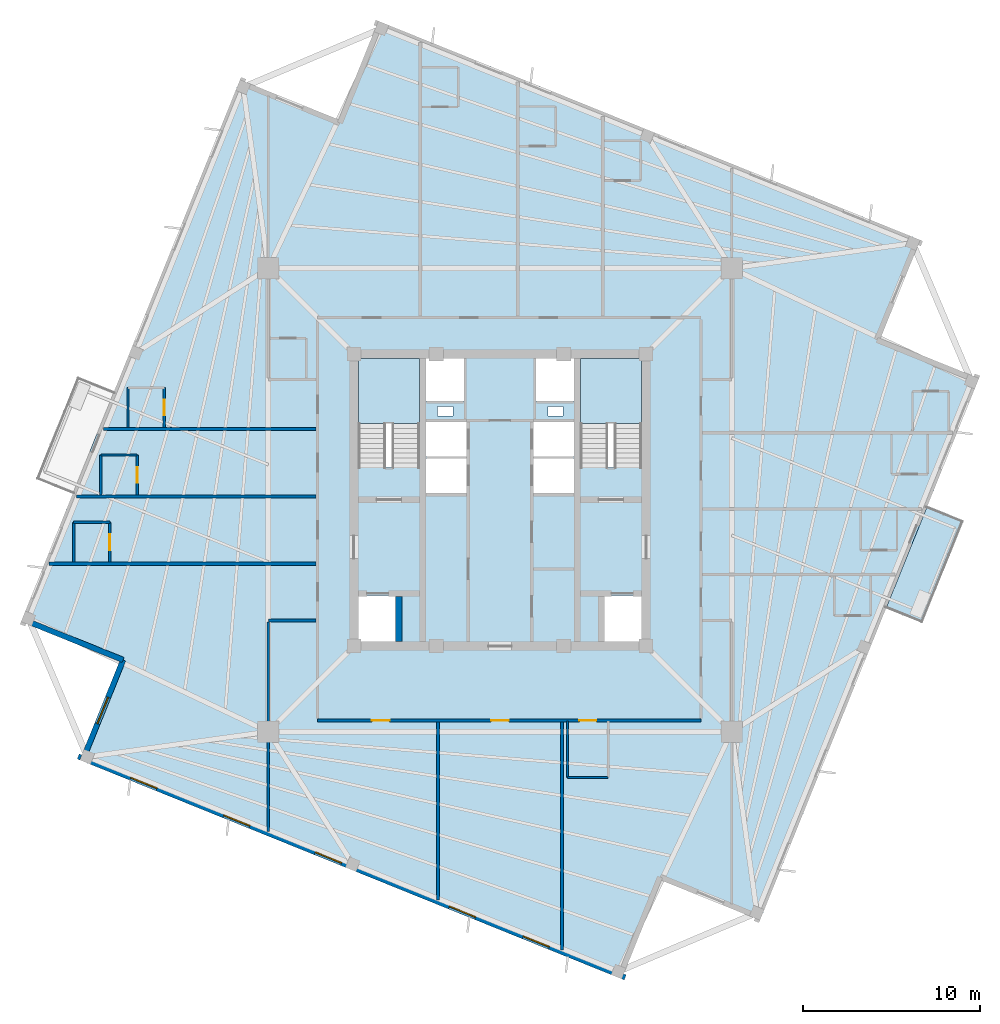
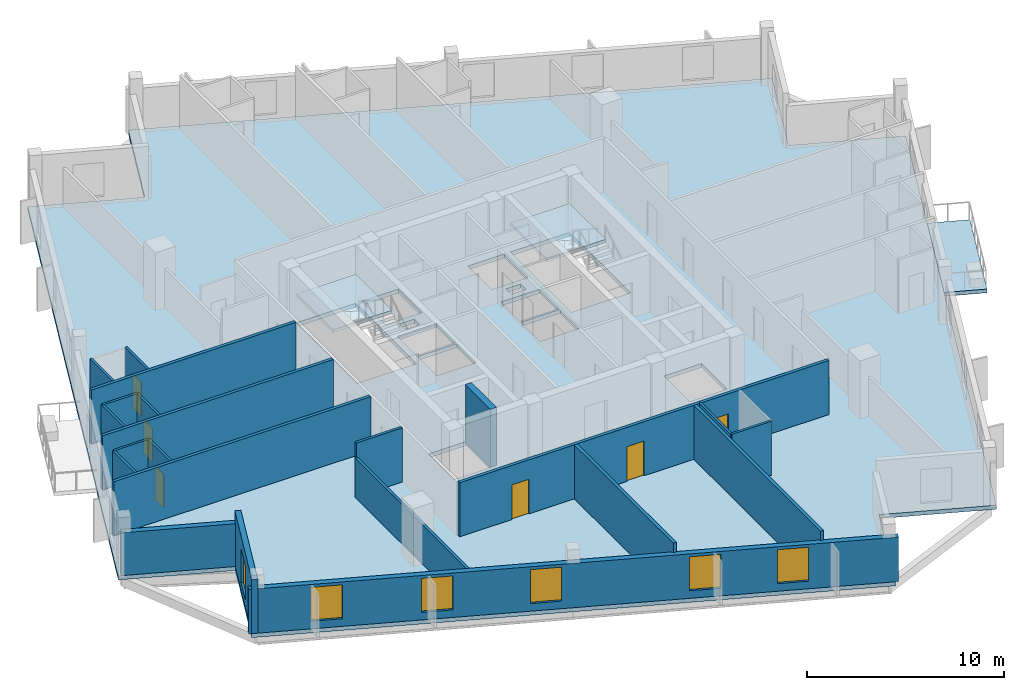
# One storey, part 2 of 9: 22 walls, 6 doors, 6 windows, 4 slabs, 12 openings, 2 elements without a shape of their own.
"""IFC4 building model written with IfcOpenShell, lengths in metres."""

from ifc_helpers import new_model, si_unit, direction, frame, frame_2d, origin, place, context, subcontext, project, spatial, polyline, rectangle, outline, extrude, source, transform, mapped, material, layer, layer_set, type_object, element, fill, aggregate, save


model = new_model("IFC4")

# Units and contexts
model_context = context("Model", 3, precision=1e-05, world=origin(), true_north=direction((0.0, 1.0)))
body_context = subcontext(model_context, "Body", "Model", "MODEL_VIEW")
ifc_project = project(units=[si_unit("LENGTHUNIT", "METRE"), si_unit("AREAUNIT", "SQUARE_METRE"), si_unit("VOLUMEUNIT", "CUBIC_METRE"), si_unit("PLANEANGLEUNIT", "RADIAN"), si_unit("MASSUNIT", "GRAM", prefix="KILO"), si_unit("THERMODYNAMICTEMPERATUREUNIT", "KELVIN")], contexts=[model_context])

# Site, building, storey
site_placement = place(None, origin())
site = spatial("IfcSite", under=ifc_project, at=site_placement, CompositionType="ELEMENT")
building_placement = place(site_placement, origin())
building = spatial("IfcBuilding", under=site, at=building_placement, Name="Kosmvard Interchange Tower", CompositionType="ELEMENT")
storey_placement = place(building_placement, frame((0.0, 0.0, 301.199951171875)))
storey = spatial("IfcBuildingStorey", under=building, at=storey_placement, Name="L74", CompositionType="ELEMENT", Elevation=301.199951171875)

# Slab
ifc_material_1 = material(Name="Concrete C50/60", Category="concrete")
ifc_layer_1 = layer(ifc_material_1, 0.25, Name="Concrete C50/60")
ifc_layer_set_1 = layer_set([ifc_layer_1], Name="Concrete C50/60")
slab_type_1 = type_object("IfcSlabType", Name="Hotel Acoustic Floor Slab 250 C50/60", PredefinedType="FLOOR", material=ifc_layer_set_1)
slab_1_placement = place(storey_placement, frame((0.0, 0.0, -0.25)))
element("IfcSlab", 1, at=slab_1_placement, inside=storey, type_object=slab_type_1, Name="L74 Structural Floor Slab", PredefinedType="FLOOR", context=body_context, shape_type="SweptSolid", body=[
    extrude(outline(polyline([(14.6806640625, -23.727294921875), (27.042724609375, 6.869873046875), (21.4794921875, 9.117431640625), (23.727294921875, 14.6806640625), (-6.869873046875, 27.042724609375), (-9.117431640625, 21.4794921875), (-14.6806640625, 23.727294921875), (-27.042724609375, -6.869873046875), (-21.4794921875, -9.117431640625), (-23.727294921875, -14.6806640625), (6.869873046875, -27.042724609375), (9.117431640625, -21.4794921875), (14.6806640625, -23.727294921875)]), holes=[polyline([(-8.0, 1.8349609375), (-4.5400390625, 1.8349609375), (-4.5400390625, 8.0), (-8.0, 8.0), (-8.0, 1.8349609375)]), polyline([(4.5400390625, 1.8349609375), (8.0, 1.8349609375), (8.0, 8.0), (4.5400390625, 8.0), (4.5400390625, 1.8349609375)]), polyline([(-8.0, -8.0), (-5.800048828125, -8.0), (-5.800048828125, -5.39990234375), (-8.0, -5.39990234375), (-8.0, -8.0)]), polyline([(5.800048828125, -8.0), (8.0, -8.0), (8.0, -5.39990234375), (5.800048828125, -5.39990234375), (5.800048828125, -8.0)]), polyline([(-4.179931640625, 0.39990234375), (-1.8798828125, 0.39990234375), (-1.8798828125, 2.340087890625), (-4.179931640625, 2.340087890625), (-4.179931640625, 0.39990234375)]), polyline([(-4.179931640625, 2.4599609375), (-1.8798828125, 2.4599609375), (-1.8798828125, 4.39990234375), (-4.179931640625, 4.39990234375), (-4.179931640625, 2.4599609375)]), polyline([(1.8798828125, 0.39990234375), (4.179931640625, 0.39990234375), (4.179931640625, 2.340087890625), (1.8798828125, 2.340087890625), (1.8798828125, 0.39990234375)]), polyline([(1.8798828125, 2.4599609375), (4.179931640625, 2.4599609375), (4.179931640625, 4.39990234375), (1.8798828125, 4.39990234375), (1.8798828125, 2.4599609375)]), polyline([(-4.179931640625, 5.60009765625), (-2.0400390625, 5.60009765625), (-2.0400390625, 8.0), (-4.179931640625, 8.0), (-4.179931640625, 5.60009765625)]), polyline([(2.0400390625, 5.60009765625), (4.179931640625, 5.60009765625), (4.179931640625, 8.0), (2.0400390625, 8.0), (2.0400390625, 5.60009765625)]), polyline([(-3.514892578125, 4.739990234375), (-2.6650390625, 4.739990234375), (-2.6650390625, 5.2900390625), (-3.514892578125, 5.2900390625), (-3.514892578125, 4.739990234375)]), polyline([(2.715087890625, 4.739990234375), (3.56494140625, 4.739990234375), (3.56494140625, 5.2900390625), (2.715087890625, 5.2900390625), (2.715087890625, 4.739990234375)])]), origin(), (0.0, 0.0, 1.0), 0.25),
])

# Stair, slab
stair_type = type_object("IfcStairType", Name="Dog-Leg Core Exit Stair H3600 C50/60", PredefinedType="HALF_TURN_STAIR", material=ifc_material_1)
stair_1_placement = place(storey_placement, origin())
stair_1 = element("IfcStair", 2, at=stair_1_placement, inside=storey, type_object=stair_type, Name="L74 Protected Exit Stair ST-1", PredefinedType="HALF_TURN_STAIR")
ifc_layer_2 = layer(ifc_material_1, 0.199951171875, Name="Concrete C50/60")
ifc_layer_set_2 = layer_set([ifc_layer_2], Name="Concrete C50/60")
slab_type_2 = type_object("IfcSlabType", Name="Stair Half-Landing Slab 200 C50/60", PredefinedType="LANDING", material=ifc_layer_set_2)
slab_2_placement = place(storey_placement, frame((0.0, 0.0, 1.60009765625)))
slab_2 = element("IfcSlab", 3, at=slab_2_placement, type_object=slab_type_2, Name="ST-1 landing 1", PredefinedType="LANDING", context=body_context, shape_type="SweptSolid", body=[
    extrude(outline(polyline([(-4.5400390625, 4.320068359375), (-4.5400390625, 8.0), (-8.0, 8.0), (-8.0, 4.320068359375), (-4.5400390625, 4.320068359375)])), origin(), (0.0, 0.0, 1.0), 0.199951171875),
])
aggregate(stair_1, [slab_2])

stair_2_placement = place(storey_placement, origin())
stair_2 = element("IfcStair", 4, at=stair_2_placement, inside=storey, type_object=stair_type, Name="L74 Protected Exit Stair ST-2", PredefinedType="HALF_TURN_STAIR")
slab_3_placement = place(storey_placement, frame((0.0, 0.0, 1.60009765625)))
slab_3 = element("IfcSlab", 5, at=slab_3_placement, type_object=slab_type_2, Name="ST-2 landing 1", PredefinedType="LANDING", context=body_context, shape_type="SweptSolid", body=[
    extrude(outline(polyline([(8.0, 4.320068359375), (8.0, 8.0), (4.5400390625, 8.0), (4.5400390625, 4.320068359375), (8.0, 4.320068359375)])), origin(), (0.0, 0.0, 1.0), 0.199951171875),
])
aggregate(stair_2, [slab_3])

# Slab
ifc_layer_3 = layer(ifc_material_1, 0.22998046875, Name="Concrete C50/60")
ifc_layer_set_3 = layer_set([ifc_layer_3], Name="Concrete C50/60")
slab_type_3 = type_object("IfcSlabType", Name="Tree-Planter Cantilever Balcony Slab 230 C50/60", PredefinedType="FLOOR", material=ifc_layer_set_3)
slab_4_placement = place(storey_placement, frame((0.0, 0.0, -0.22998046875)))
element("IfcSlab", 6, at=slab_4_placement, inside=storey, type_object=slab_type_3, Name="L74 Outdoor Terrace Balcony Slab BAL-L74-SW", PredefinedType="FLOOR", context=body_context, shape_type="SweptSolid", body=[
    extrude(outline(polyline([(23.837890625, -6.934814453125), (26.160400390625, -1.186279296875), (24.12060546875, -0.362060546875), (21.798095703125, -6.110595703125), (23.837890625, -6.934814453125)])), origin(), (0.0, 0.0, 1.0), 0.22998046875),
])

# Walls
ifc_material_2 = material(Name="Acoustic gypsum partition system")
ifc_layer_4 = layer(ifc_material_2, 0.14990234375, Name="Acoustic gypsum partition system")
ifc_layer_set_4 = layer_set([ifc_layer_4], Name="Acoustic gypsum partition system")
wall_type_1 = type_object("IfcWallType", Name="Acoustic Suite & Meeting Partition 150", PredefinedType="PARTITIONING", material=ifc_layer_set_4)
wall_1_placement = place(storey_placement, frame((-10.39501953125, -6.800048828125, 0.0), z_axis=(0.0, 0.0, 1.0), x_axis=(-1.0, 0.0, 0.0)))
element("IfcWall", 7, at=wall_1_placement, inside=storey, type_object=wall_type_1, Name="L74 Room Partition 18.1", PredefinedType="PARTITIONING", context=body_context, shape_type="SweptSolid", body=[
    extrude(rectangle(XDim=2.68603515625, YDim=0.14990234375, at=frame_2d((1.343017578125, 0.0))), origin(), (0.0, 0.0, 1.0), 3.35009765625),
])
wall_2_placement = place(storey_placement, frame((-13.0810546875, -6.875, 0.0), z_axis=(0.0, 0.0, 1.0), x_axis=(0.0, -1.0, 0.0)))
element("IfcWall", 8, at=wall_2_placement, inside=storey, type_object=wall_type_1, Name="L74 Room Partition 19.1", PredefinedType="PARTITIONING", context=body_context, shape_type="SweptSolid", body=[
    extrude(rectangle(XDim=11.8427734375, YDim=0.14990234375, at=frame_2d((5.92138671875, 0.0))), origin(), (0.0, 0.0, 1.0), 2.449951171875),
])

# Wall, openings, doors
ifc_material_3 = material(Name="Fire-rated gypsum partition system")
ifc_layer_5 = layer(ifc_material_3, 0.179931640625, Name="Fire-rated gypsum partition system")
ifc_layer_set_5 = layer_set([ifc_layer_5], Name="Fire-rated gypsum partition system")
wall_type_2 = type_object("IfcWallType", Name="Corridor & Hotel Compartment Partition 180", PredefinedType="PARTITIONING", material=ifc_layer_set_5)
wall_3_placement = place(storey_placement, frame((-10.300048828125, -12.449951171875, 0.0), z_axis=(0.0, 0.0, 1.0), x_axis=(1.0, 0.0, 0.0)))
wall_3 = element("IfcWall", 9, at=wall_3_placement, inside=storey, type_object=wall_type_2, Name="L74 Corridor Wall CS", PredefinedType="PARTITIONING", context=body_context, shape_type="SweptSolid", body=[
    extrude(rectangle(XDim=21.650146484375, YDim=0.179931640625, at=frame_2d((10.8251953125, 0.0))), origin(), (0.0, 0.0, 1.0), 3.35009765625),
])
opening_1_placement = place(wall_3_placement, frame((14.7861328125, 0.0, 0.0)))
opening_1 = element("IfcOpeningElement", 10, at=opening_1_placement, cuts=wall_3, Name="Opening L74-D01", PredefinedType="OPENING", context=body_context, shape_type="SweptSolid", body=[
    extrude(rectangle(XDim=0.949951171875, YDim=2.10009765625, at=frame_2d((0.47509765625, 1.050048828125))), frame((0.0, 0.10009765625, 0.0), z_axis=(0.0, -1.0, 0.0), x_axis=(1.0, 0.0, 0.0)), (0.0, 0.0, 1.0), 0.199951171875),
])
opening_2_placement = place(wall_3_placement, frame((9.800048828125, 0.0, 0.0)))
opening_2 = element("IfcOpeningElement", 11, at=opening_2_placement, cuts=wall_3, Name="Opening L74-D23", PredefinedType="OPENING", context=body_context, shape_type="SweptSolid", body=[
    extrude(rectangle(XDim=1.0, YDim=2.14990234375, at=frame_2d((0.5, 1.074951171875))), frame((0.0, 0.10009765625, 0.0), z_axis=(0.0, -1.0, 0.0), x_axis=(1.0, 0.0, 0.0)), (0.0, 0.0, 1.0), 0.199951171875),
])
opening_3_placement = place(wall_3_placement, frame((3.064453125, 0.0, 0.0)))
opening_3 = element("IfcOpeningElement", 12, at=opening_3_placement, cuts=wall_3, Name="Opening L74-D24", PredefinedType="OPENING", context=body_context, shape_type="SweptSolid", body=[
    extrude(rectangle(XDim=1.0, YDim=2.14990234375, at=frame_2d((0.5, 1.074951171875))), frame((0.0, 0.10009765625, 0.0), z_axis=(0.0, -1.0, 0.0), x_axis=(1.0, 0.0, 0.0)), (0.0, 0.0, 1.0), 0.199951171875),
])
ifc_material_4 = material(Name="Laminated moisture-resistant timber", Category="wood")
door_type_1 = type_object("IfcDoorType", Name="Accessible Washroom Door 950x2100", OperationType="NOTDEFINED", PredefinedType="DOOR", material=ifc_material_4)
shared_shape_1 = source(origin(), body_context, "Body", "SweptSolid", [
    extrude(rectangle(XDim=0.949951171875, YDim=2.10009765625, at=frame_2d((0.47509765625, 1.050048828125))), frame((0.0, 0.02490234375, 0.0), z_axis=(0.0, -1.0, 0.0), x_axis=(1.0, 0.0, 0.0)), (0.0, 0.0, 1.0), 0.050048828125),
])
door_1_placement = place(opening_1_placement, frame((0.949951171875, 0.0, 0.0), z_axis=(0.0, 0.0, 1.0), x_axis=(-1.0, 0.0, 0.0)))
door_1 = element("IfcDoor", 13, at=door_1_placement, inside=storey, type_object=door_type_1, Name="L74 Accessible Guest Toilet Door", OperationType="SINGLE_SWING_LEFT", OverallHeight=2.10009765625, OverallWidth=0.949951171875, PredefinedType="DOOR", context=body_context, shape_type="MappedRepresentation", body=[
    mapped(shared_shape_1, transform((0.0, 0.0, 0.0), scale=1.0)),
])
fill(opening_1, door_1)
ifc_material_5 = material(Name="Engineered oak fire-rated timber", Category="wood")
door_type_2 = type_object("IfcDoorType", Name="Hotel Guestroom Entrance Door 1000x2150 EI60", OperationType="NOTDEFINED", PredefinedType="DOOR", material=ifc_material_5)
shared_shape_2 = source(origin(), body_context, "Body", "SweptSolid", [
    extrude(rectangle(XDim=1.0, YDim=2.14990234375, at=frame_2d((0.5, 1.074951171875))), frame((0.0, 0.02490234375, 0.0), z_axis=(0.0, -1.0, 0.0), x_axis=(1.0, 0.0, 0.0)), (0.0, 0.0, 1.0), 0.050048828125),
])
door_2_placement = place(opening_2_placement, frame((1.0, 0.0, 0.0), z_axis=(0.0, 0.0, 1.0), x_axis=(-1.0, 0.0, 0.0)))
door_2 = element("IfcDoor", 14, at=door_2_placement, inside=storey, type_object=door_type_2, Name="L74 Hotel Thermal Wellness Spa Door", OperationType="SINGLE_SWING_LEFT", OverallHeight=2.14990234375, OverallWidth=1.0, PredefinedType="DOOR", context=body_context, shape_type="MappedRepresentation", body=[
    mapped(shared_shape_2, transform((0.0, 0.0, 0.0), scale=1.0)),
])
fill(opening_2, door_2)
door_3_placement = place(opening_3_placement, frame((1.0, 0.0, 0.0), z_axis=(0.0, 0.0, 1.0), x_axis=(-1.0, 0.0, 0.0)))
door_3 = element("IfcDoor", 15, at=door_3_placement, inside=storey, type_object=door_type_2, Name="L74 Hotel Guest Fitness Studio Door", OperationType="SINGLE_SWING_RIGHT", OverallHeight=2.14990234375, OverallWidth=1.0, PredefinedType="DOOR", context=body_context, shape_type="MappedRepresentation", body=[
    mapped(shared_shape_2, transform((0.0, 0.0, 0.0), scale=1.0)),
])
fill(opening_3, door_3)

# Walls
wall_4_placement = place(storey_placement, frame((3.5, -12.544921875, 0.0), z_axis=(0.0, 0.0, 1.0), x_axis=(0.0, -1.0, 0.0)))
element("IfcWall", 16, at=wall_4_placement, inside=storey, type_object=wall_type_2, Name="L74 Room Partition 07.1", PredefinedType="PARTITIONING", context=body_context, shape_type="SweptSolid", body=[
    extrude(rectangle(XDim=12.8720703125, YDim=0.179931640625, at=frame_2d((6.43603515625, 0.0))), origin(), (0.0, 0.0, 1.0), 3.35009765625),
])
wall_5_placement = place(storey_placement, frame((-3.5, -12.544921875, 0.0), z_axis=(0.0, 0.0, 1.0), x_axis=(0.0, -1.0, 0.0)))
element("IfcWall", 17, at=wall_5_placement, inside=storey, type_object=wall_type_2, Name="L74 Room Partition 08.1", PredefinedType="PARTITIONING", context=body_context, shape_type="SweptSolid", body=[
    extrude(rectangle(XDim=10.043701171875, YDim=0.179931640625, at=frame_2d((5.02197265625, 0.0))), origin(), (0.0, 0.0, 1.0), 3.35009765625),
])
wall_6_placement = place(storey_placement, frame((-10.39501953125, -3.60009765625, 0.0), z_axis=(0.0, 0.0, 1.0), x_axis=(-1.0, 0.0, 0.0)))
element("IfcWall", 18, at=wall_6_placement, inside=storey, type_object=wall_type_2, Name="L74 Room Partition 09.1", PredefinedType="PARTITIONING", context=body_context, shape_type="SweptSolid", body=[
    extrude(rectangle(XDim=15.062255859375, YDim=0.179931640625, at=frame_2d((7.53125, 0.0))), origin(), (0.0, 0.0, 1.0), 3.35009765625),
])
wall_7_placement = place(storey_placement, frame((-10.39501953125, 0.199951171875, 0.0), z_axis=(0.0, 0.0, 1.0), x_axis=(-1.0, 0.0, 0.0)))
element("IfcWall", 19, at=wall_7_placement, inside=storey, type_object=wall_type_2, Name="L74 Room Partition 10.1", PredefinedType="PARTITIONING", context=body_context, shape_type="SweptSolid", body=[
    extrude(rectangle(XDim=13.52685546875, YDim=0.179931640625, at=frame_2d((6.763427734375, 0.0))), origin(), (0.0, 0.0, 1.0), 3.35009765625),
])
wall_8_placement = place(storey_placement, frame((-10.39501953125, 4.0, 0.0), z_axis=(0.0, 0.0, 1.0), x_axis=(-1.0, 0.0, 0.0)))
element("IfcWall", 20, at=wall_8_placement, inside=storey, type_object=wall_type_2, Name="L74 Room Partition 11.1", PredefinedType="PARTITIONING", context=body_context, shape_type="SweptSolid", body=[
    extrude(rectangle(XDim=11.99169921875, YDim=0.179931640625, at=frame_2d((5.995849609375, 0.0))), origin(), (0.0, 0.0, 1.0), 3.35009765625),
])
ifc_material_6 = material(Name="Concrete C60/75", Category="concrete")
ifc_layer_6 = layer(ifc_material_6, 0.360107421875, Name="Concrete C60/75")
ifc_layer_set_6 = layer_set([ifc_layer_6], Name="Concrete C60/75")
wall_type_3 = type_object("IfcWallType", Name="Stair & Lift Shaft Shear Wall 360 C60/75", PredefinedType="SHEAR", material=ifc_layer_set_6)
wall_9_placement = place(storey_placement, frame((-5.7099609375, -8.0, 0.0), z_axis=(0.0, 0.0, 1.0), x_axis=(0.0, 1.0, 0.0)))
element("IfcWall", 21, at=wall_9_placement, inside=storey, type_object=wall_type_3, Name="L74 Shaft Shear Wall SW-SM1", PredefinedType="SHEAR", context=body_context, shape_type="SweptSolid", body=[
    extrude(rectangle(XDim=2.5400390625, YDim=0.360107421875, at=frame_2d((1.27001953125, 0.0))), origin(), (0.0, 0.0, 1.0), 3.60009765625),
])
ifc_material_7 = material(Name="Precast concrete C45/55", Category="concrete")
ifc_layer_7 = layer(ifc_material_7, 0.31005859375, Name="Precast concrete C45/55")
ifc_layer_set_7 = layer_set([ifc_layer_7], Name="Precast concrete C45/55")
wall_type_4 = type_object("IfcWallType", Name="Upper Tower Precast Pier Wall 310 C45/55", PredefinedType="STANDARD", material=ifc_layer_set_7)
wall_10_placement = place(storey_placement, frame((-26.8408203125, -6.7841796875, 0.0), z_axis=(0.0, 0.0, 1.0), x_axis=(0.927171722085, -0.374636620962, 0.0)))
element("IfcWall", 22, at=wall_10_placement, inside=storey, type_object=wall_type_4, Name="L74 Precast Facade Wall N-NW1", PredefinedType="STANDARD", context=body_context, shape_type="SweptSolid", body=[
    extrude(rectangle(XDim=6.0, YDim=0.31005859375, at=frame_2d((3.0, 0.0))), origin(), (0.0, 0.0, 1.0), 2.650146484375),
])

# Wall, opening, window
wall_11_placement = place(storey_placement, frame((-21.27783203125, -9.031982421875, 0.0), z_axis=(0.0, 0.0, 1.0), x_axis=(-0.374602739196, -0.927185411764, 0.0)))
wall_11 = element("IfcWall", 23, at=wall_11_placement, inside=storey, type_object=wall_type_4, Name="L74 Precast Facade Wall N-NW2", PredefinedType="STANDARD", context=body_context, shape_type="SweptSolid", body=[
    extrude(rectangle(XDim=6.155029296875, YDim=0.31005859375, at=frame_2d((3.07763671875, 0.0))), origin(), (0.0, 0.0, 1.0), 3.35009765625),
])
opening_4_placement = place(wall_11_placement, frame((2.277587890625, 0.0, 0.469970703125)))
opening_4 = element("IfcOpeningElement", 24, at=opening_4_placement, cuts=wall_11, Name="Opening L74-W21", PredefinedType="OPENING", context=body_context, shape_type="SweptSolid", body=[
    extrude(rectangle(XDim=1.60009765625, YDim=2.10009765625, at=frame_2d((0.800048828125, 1.050048828125))), frame((0.0, 0.1650390625, 0.0), z_axis=(0.0, -1.0, 0.0), x_axis=(1.0, 0.0, 0.0)), (0.0, 0.0, 1.0), 0.330078125),
])
ifc_material_8 = material(Name="Low-E acoustic double glazing", Category="glass")
window_type = type_object("IfcWindowType", Name="Zone 5 Hotel Punched Window 1600x2100", PartitioningType="SINGLE_PANEL", PredefinedType="WINDOW", material=ifc_material_8)
shared_shape_3 = source(origin(), body_context, "Body", "SweptSolid", [
    extrude(rectangle(XDim=1.60009765625, YDim=2.10009765625, at=frame_2d((0.800048828125, 1.050048828125))), frame((0.0, 0.030029296875, 0.0), z_axis=(0.0, -1.0, 0.0), x_axis=(1.0, 0.0, 0.0)), (0.0, 0.0, 1.0), 0.06005859375),
])
window_1_placement = place(opening_4_placement, origin())
window_1 = element("IfcWindow", 25, at=window_1_placement, inside=storey, type_object=window_type, Name="L74 Corner Notch Window 21", OverallHeight=2.10009765625, OverallWidth=1.60009765625, PartitioningType="SINGLE_PANEL", PredefinedType="WINDOW", context=body_context, shape_type="MappedRepresentation", body=[
    mapped(shared_shape_3, transform((0.0, 0.0, 0.0), scale=1.0)),
])
fill(opening_4, window_1)

# Wall, openings, windows
wall_12_placement = place(storey_placement, frame((-23.812744140625, -14.478759765625, 0.0), z_axis=(0.0, 0.0, 1.0), x_axis=(0.927182657188, -0.374609557019, 0.0)))
wall_12 = element("IfcWall", 26, at=wall_12_placement, inside=storey, type_object=wall_type_4, Name="L74 Precast Facade Wall F-W", PredefinedType="STANDARD", context=body_context, shape_type="SweptSolid", body=[
    extrude(rectangle(XDim=33.31005859375, YDim=0.31005859375, at=frame_2d((16.655029296875, 0.0))), origin(), (0.0, 0.0, 1.0), 2.75),
])
opening_5_placement = place(wall_12_placement, frame((3.197265625, 0.0, 0.469970703125)))
opening_5 = element("IfcOpeningElement", 27, at=opening_5_placement, cuts=wall_12, Name="Opening L74-W14", PredefinedType="OPENING", context=body_context, shape_type="SweptSolid", body=[
    extrude(rectangle(XDim=1.60009765625, YDim=2.10009765625, at=frame_2d((0.800048828125, 1.050048828125))), frame((0.0, 0.1650390625, 0.0), z_axis=(0.0, -1.0, 0.0), x_axis=(1.0, 0.0, 0.0)), (0.0, 0.0, 1.0), 0.330078125),
])
opening_6_placement = place(wall_12_placement, frame((8.85986328125, 0.0, 0.469970703125)))
opening_6 = element("IfcOpeningElement", 28, at=opening_6_placement, cuts=wall_12, Name="Opening L74-W15", PredefinedType="OPENING", context=body_context, shape_type="SweptSolid", body=[
    extrude(rectangle(XDim=1.60009765625, YDim=2.10009765625, at=frame_2d((0.800048828125, 1.050048828125))), frame((0.0, 0.1650390625, 0.0), z_axis=(0.0, -1.0, 0.0), x_axis=(1.0, 0.0, 0.0)), (0.0, 0.0, 1.0), 0.330078125),
])
opening_7_placement = place(wall_12_placement, frame((14.438720703125, 0.0, 0.469970703125)))
opening_7 = element("IfcOpeningElement", 29, at=opening_7_placement, cuts=wall_12, Name="Opening L74-W16", PredefinedType="OPENING", context=body_context, shape_type="SweptSolid", body=[
    extrude(rectangle(XDim=1.60009765625, YDim=2.10009765625, at=frame_2d((0.800048828125, 1.050048828125))), frame((0.0, 0.1650390625, 0.0), z_axis=(0.0, -1.0, 0.0), x_axis=(1.0, 0.0, 0.0)), (0.0, 0.0, 1.0), 0.330078125),
])
opening_8_placement = place(wall_12_placement, frame((22.600830078125, 0.0, 0.469970703125)))
opening_8 = element("IfcOpeningElement", 30, at=opening_8_placement, cuts=wall_12, Name="Opening L74-W17", PredefinedType="OPENING", context=body_context, shape_type="SweptSolid", body=[
    extrude(rectangle(XDim=1.60009765625, YDim=2.10009765625, at=frame_2d((0.800048828125, 1.050048828125))), frame((0.0, 0.1650390625, 0.0), z_axis=(0.0, -1.0, 0.0), x_axis=(1.0, 0.0, 0.0)), (0.0, 0.0, 1.0), 0.330078125),
])
opening_9_placement = place(wall_12_placement, frame((27.0966796875, 0.0, 0.469970703125)))
opening_9 = element("IfcOpeningElement", 31, at=opening_9_placement, cuts=wall_12, Name="Opening L74-W18", PredefinedType="OPENING", context=body_context, shape_type="SweptSolid", body=[
    extrude(rectangle(XDim=1.60009765625, YDim=2.10009765625, at=frame_2d((0.800048828125, 1.050048828125))), frame((0.0, 0.1650390625, 0.0), z_axis=(0.0, -1.0, 0.0), x_axis=(1.0, 0.0, 0.0)), (0.0, 0.0, 1.0), 0.330078125),
])
window_2_placement = place(opening_5_placement, origin())
window_2 = element("IfcWindow", 32, at=window_2_placement, inside=storey, type_object=window_type, Name="L74 Facade Punched Window 14", OverallHeight=2.10009765625, OverallWidth=1.60009765625, PartitioningType="SINGLE_PANEL", PredefinedType="WINDOW", context=body_context, shape_type="MappedRepresentation", body=[
    mapped(shared_shape_3, transform((0.0, 0.0, 0.0), scale=1.0)),
])
fill(opening_5, window_2)
window_3_placement = place(opening_6_placement, origin())
window_3 = element("IfcWindow", 33, at=window_3_placement, inside=storey, type_object=window_type, Name="L74 Facade Punched Window 15", OverallHeight=2.10009765625, OverallWidth=1.60009765625, PartitioningType="SINGLE_PANEL", PredefinedType="WINDOW", context=body_context, shape_type="MappedRepresentation", body=[
    mapped(shared_shape_3, transform((0.0, 0.0, 0.0), scale=1.0)),
])
fill(opening_6, window_3)
window_4_placement = place(opening_7_placement, origin())
window_4 = element("IfcWindow", 34, at=window_4_placement, inside=storey, type_object=window_type, Name="L74 Facade Punched Window 16", OverallHeight=2.10009765625, OverallWidth=1.60009765625, PartitioningType="SINGLE_PANEL", PredefinedType="WINDOW", context=body_context, shape_type="MappedRepresentation", body=[
    mapped(shared_shape_3, transform((0.0, 0.0, 0.0), scale=1.0)),
])
fill(opening_7, window_4)
window_5_placement = place(opening_8_placement, origin())
window_5 = element("IfcWindow", 35, at=window_5_placement, inside=storey, type_object=window_type, Name="L74 Facade Punched Window 17", OverallHeight=2.10009765625, OverallWidth=1.60009765625, PartitioningType="SINGLE_PANEL", PredefinedType="WINDOW", context=body_context, shape_type="MappedRepresentation", body=[
    mapped(shared_shape_3, transform((0.0, 0.0, 0.0), scale=1.0)),
])
fill(opening_8, window_5)
window_6_placement = place(opening_9_placement, origin())
window_6 = element("IfcWindow", 36, at=window_6_placement, inside=storey, type_object=window_type, Name="L74 Facade Punched Window 18", OverallHeight=2.10009765625, OverallWidth=1.60009765625, PartitioningType="SINGLE_PANEL", PredefinedType="WINDOW", context=body_context, shape_type="MappedRepresentation", body=[
    mapped(shared_shape_3, transform((0.0, 0.0, 0.0), scale=1.0)),
])
fill(opening_9, window_6)

# Walls
ifc_material_9 = material(Name="Moisture-resistant gypsum partition")
ifc_layer_8 = layer(ifc_material_9, 0.135009765625, Name="Moisture-resistant gypsum partition")
ifc_layer_set_8 = layer_set([ifc_layer_8], Name="Moisture-resistant gypsum partition")
wall_type_5 = type_object("IfcWallType", Name="Wet Room Moisture-Resistant Partition 135", PredefinedType="PARTITIONING", material=ifc_layer_set_8)
wall_13_placement = place(storey_placement, frame((3.81103515625, -15.669921875, 0.0), z_axis=(0.0, 0.0, 1.0), x_axis=(1.0, 0.0, 0.0)))
element("IfcWall", 37, at=wall_13_placement, inside=storey, type_object=wall_type_5, Name="L74 Washroom Partition HAWC-S", PredefinedType="PARTITIONING", context=body_context, shape_type="SweptSolid", body=[
    extrude(rectangle(XDim=2.300048828125, YDim=0.135009765625, at=frame_2d((1.14990234375, 0.0))), origin(), (0.0, 0.0, 1.0), 3.35009765625),
])
wall_14_placement = place(storey_placement, frame((3.81103515625, -15.669921875, 0.0), z_axis=(0.0, 0.0, 1.0), x_axis=(0.0, 1.0, 0.0)))
element("IfcWall", 38, at=wall_14_placement, inside=storey, type_object=wall_type_5, Name="L74 Washroom Partition HAWC-W", PredefinedType="PARTITIONING", context=body_context, shape_type="SweptSolid", body=[
    extrude(rectangle(XDim=3.199951171875, YDim=0.135009765625, at=frame_2d((1.60009765625, 0.0))), origin(), (0.0, 0.0, 1.0), 3.35009765625),
])

# Wall, opening, door
wall_15_placement = place(storey_placement, frame((-20.48876953125, 0.2900390625, 0.0), z_axis=(0.0, 0.0, 1.0), x_axis=(0.0, 1.0, 0.0)))
wall_15 = element("IfcWall", 39, at=wall_15_placement, inside=storey, type_object=wall_type_5, Name="L74 En-Suite Partition HGR1-E", PredefinedType="PARTITIONING", context=body_context, shape_type="SweptSolid", body=[
    extrude(rectangle(XDim=2.25, YDim=0.135009765625, at=frame_2d((1.125, 0.0))), origin(), (0.0, 0.0, 1.0), 3.35009765625),
])
opening_10_placement = place(wall_15_placement, frame((0.68505859375, 0.0, 0.0)))
opening_10 = element("IfcOpeningElement", 40, at=opening_10_placement, cuts=wall_15, Name="Opening L74-ED03", PredefinedType="OPENING", context=body_context, shape_type="SweptSolid", body=[
    extrude(rectangle(XDim=0.8798828125, YDim=2.10009765625, at=frame_2d((0.43994140625, 1.050048828125))), frame((0.0, 0.07763671875, 0.0), z_axis=(0.0, -1.0, 0.0), x_axis=(1.0, 0.0, 0.0)), (0.0, 0.0, 1.0), 0.155029296875),
])
door_type_3 = type_object("IfcDoorType", Name="En-Suite & Washroom Door 880x2100", OperationType="NOTDEFINED", PredefinedType="DOOR", material=ifc_material_4)
shared_shape_4 = source(origin(), body_context, "Body", "SweptSolid", [
    extrude(rectangle(XDim=0.8798828125, YDim=2.10009765625, at=frame_2d((0.43994140625, 1.050048828125))), frame((0.0, 0.02490234375, 0.0), z_axis=(0.0, -1.0, 0.0), x_axis=(1.0, 0.0, 0.0)), (0.0, 0.0, 1.0), 0.050048828125),
])
door_4_placement = place(opening_10_placement, origin())
door_4 = element("IfcDoor", 41, at=door_4_placement, inside=storey, type_object=door_type_3, Name="L74 HGR1 En-Suite Door", OperationType="SINGLE_SWING_RIGHT", OverallHeight=2.10009765625, OverallWidth=0.8798828125, PredefinedType="DOOR", context=body_context, shape_type="MappedRepresentation", body=[
    mapped(shared_shape_4, transform((0.0, 0.0, 0.0), scale=1.0)),
])
fill(opening_10, door_4)

# Walls
wall_16_placement = place(storey_placement, frame((-22.53857421875, 2.5400390625, 0.0), z_axis=(0.0, 0.0, 1.0), x_axis=(1.0, 0.0, 0.0)))
element("IfcWall", 42, at=wall_16_placement, inside=storey, type_object=wall_type_5, Name="L74 En-Suite Partition HGR1-N", PredefinedType="PARTITIONING", context=body_context, shape_type="SweptSolid", body=[
    extrude(rectangle(XDim=2.0498046875, YDim=0.135009765625, at=frame_2d((1.02490234375, 0.0))), origin(), (0.0, 0.0, 1.0), 3.35009765625),
])
wall_17_placement = place(storey_placement, frame((-22.53857421875, 0.2900390625, 0.0), z_axis=(0.0, 0.0, 1.0), x_axis=(0.0, 1.0, 0.0)))
element("IfcWall", 43, at=wall_17_placement, inside=storey, type_object=wall_type_5, Name="L74 En-Suite Partition HGR1-W", PredefinedType="PARTITIONING", context=body_context, shape_type="SweptSolid", body=[
    extrude(rectangle(XDim=2.25, YDim=0.135009765625, at=frame_2d((1.125, 0.0))), origin(), (0.0, 0.0, 1.0), 3.35009765625),
])

# Wall, opening, door
wall_18_placement = place(storey_placement, frame((-18.953369140625, 4.090087890625, 0.0), z_axis=(0.0, 0.0, 1.0), x_axis=(0.0, 1.0, 0.0)))
wall_18 = element("IfcWall", 44, at=wall_18_placement, inside=storey, type_object=wall_type_5, Name="L74 En-Suite Partition HGR2-E", PredefinedType="PARTITIONING", context=body_context, shape_type="SweptSolid", body=[
    extrude(rectangle(XDim=2.25, YDim=0.135009765625, at=frame_2d((1.125, 0.0))), origin(), (0.0, 0.0, 1.0), 3.35009765625),
])
opening_11_placement = place(wall_18_placement, frame((0.68505859375, 0.0, 0.0)))
opening_11 = element("IfcOpeningElement", 45, at=opening_11_placement, cuts=wall_18, Name="Opening L74-ED05", PredefinedType="OPENING", context=body_context, shape_type="SweptSolid", body=[
    extrude(rectangle(XDim=0.8798828125, YDim=2.10009765625, at=frame_2d((0.43994140625, 1.050048828125))), frame((0.0, 0.07763671875, 0.0), z_axis=(0.0, -1.0, 0.0), x_axis=(1.0, 0.0, 0.0)), (0.0, 0.0, 1.0), 0.155029296875),
])
door_5_placement = place(opening_11_placement, origin())
door_5 = element("IfcDoor", 46, at=door_5_placement, inside=storey, type_object=door_type_3, Name="L74 HGR2 En-Suite Door", OperationType="SINGLE_SWING_RIGHT", OverallHeight=2.10009765625, OverallWidth=0.8798828125, PredefinedType="DOOR", context=body_context, shape_type="MappedRepresentation", body=[
    mapped(shared_shape_4, transform((0.0, 0.0, 0.0), scale=1.0)),
])
fill(opening_11, door_5)

# Wall
wall_19_placement = place(storey_placement, frame((-21.00341796875, 4.090087890625, 0.0), z_axis=(0.0, 0.0, 1.0), x_axis=(0.0, 1.0, 0.0)))
element("IfcWall", 47, at=wall_19_placement, inside=storey, type_object=wall_type_5, Name="L74 En-Suite Partition HGR2-W", PredefinedType="PARTITIONING", context=body_context, shape_type="SweptSolid", body=[
    extrude(rectangle(XDim=2.25, YDim=0.135009765625, at=frame_2d((1.125, 0.0))), origin(), (0.0, 0.0, 1.0), 3.35009765625),
])

# Wall, opening, door
wall_20_placement = place(storey_placement, frame((-22.02392578125, -3.510009765625, 0.0), z_axis=(0.0, 0.0, 1.0), x_axis=(0.0, 1.0, 0.0)))
wall_20 = element("IfcWall", 48, at=wall_20_placement, inside=storey, type_object=wall_type_5, Name="L74 En-Suite Partition HCS4-E", PredefinedType="PARTITIONING", context=body_context, shape_type="SweptSolid", body=[
    extrude(rectangle(XDim=2.25, YDim=0.135009765625, at=frame_2d((1.125, 0.0))), origin(), (0.0, 0.0, 1.0), 3.35009765625),
])
opening_12_placement = place(wall_20_placement, frame((0.68505859375, 0.0, 0.0)))
opening_12 = element("IfcOpeningElement", 49, at=opening_12_placement, cuts=wall_20, Name="Opening L74-ED27", PredefinedType="OPENING", context=body_context, shape_type="SweptSolid", body=[
    extrude(rectangle(XDim=0.8798828125, YDim=2.10009765625, at=frame_2d((0.43994140625, 1.050048828125))), frame((0.0, 0.07763671875, 0.0), z_axis=(0.0, -1.0, 0.0), x_axis=(1.0, 0.0, 0.0)), (0.0, 0.0, 1.0), 0.155029296875),
])
door_6_placement = place(opening_12_placement, origin())
door_6 = element("IfcDoor", 50, at=door_6_placement, inside=storey, type_object=door_type_3, Name="L74 HCS4 En-Suite Door", OperationType="SINGLE_SWING_RIGHT", OverallHeight=2.10009765625, OverallWidth=0.8798828125, PredefinedType="DOOR", context=body_context, shape_type="MappedRepresentation", body=[
    mapped(shared_shape_4, transform((0.0, 0.0, 0.0), scale=1.0)),
])
fill(opening_12, door_6)

# Walls
wall_21_placement = place(storey_placement, frame((-24.073974609375, -1.260009765625, 0.0), z_axis=(0.0, 0.0, 1.0), x_axis=(1.0, 0.0, 0.0)))
element("IfcWall", 51, at=wall_21_placement, inside=storey, type_object=wall_type_5, Name="L74 En-Suite Partition HCS4-N", PredefinedType="PARTITIONING", context=body_context, shape_type="SweptSolid", body=[
    extrude(rectangle(XDim=2.050048828125, YDim=0.135009765625, at=frame_2d((1.02490234375, 0.0))), origin(), (0.0, 0.0, 1.0), 3.35009765625),
])
wall_22_placement = place(storey_placement, frame((-24.073974609375, -3.510009765625, 0.0), z_axis=(0.0, 0.0, 1.0), x_axis=(0.0, 1.0, 0.0)))
element("IfcWall", 52, at=wall_22_placement, inside=storey, type_object=wall_type_5, Name="L74 En-Suite Partition HCS4-W", PredefinedType="PARTITIONING", context=body_context, shape_type="SweptSolid", body=[
    extrude(rectangle(XDim=2.25, YDim=0.135009765625, at=frame_2d((1.125, 0.0))), origin(), (0.0, 0.0, 1.0), 3.35009765625),
])

save(model, "model.ifc")
